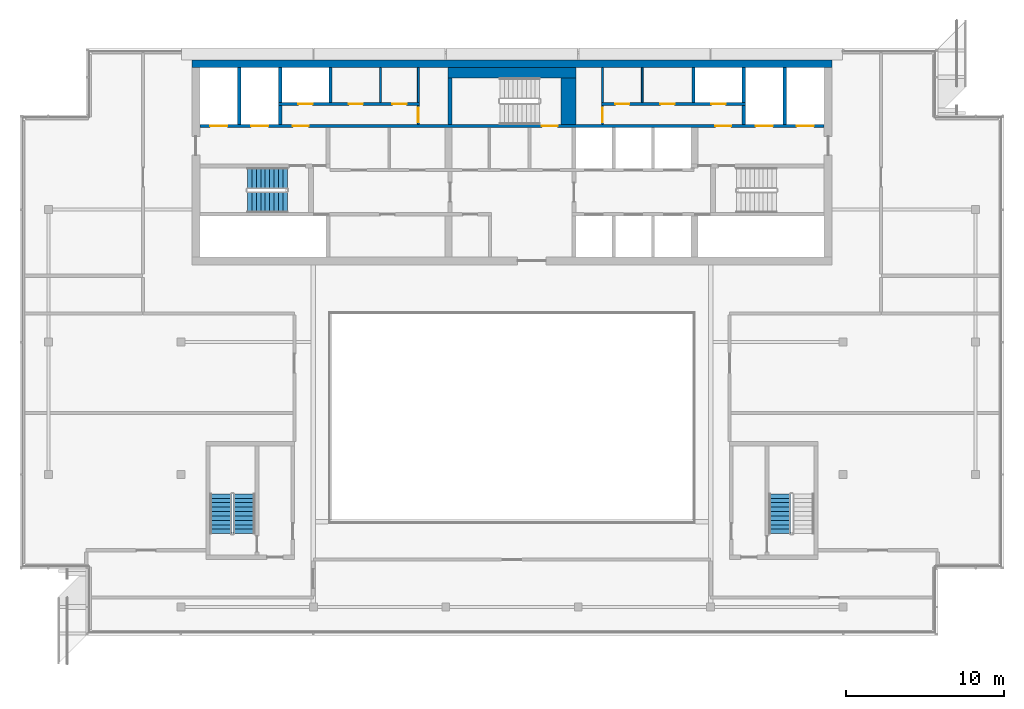
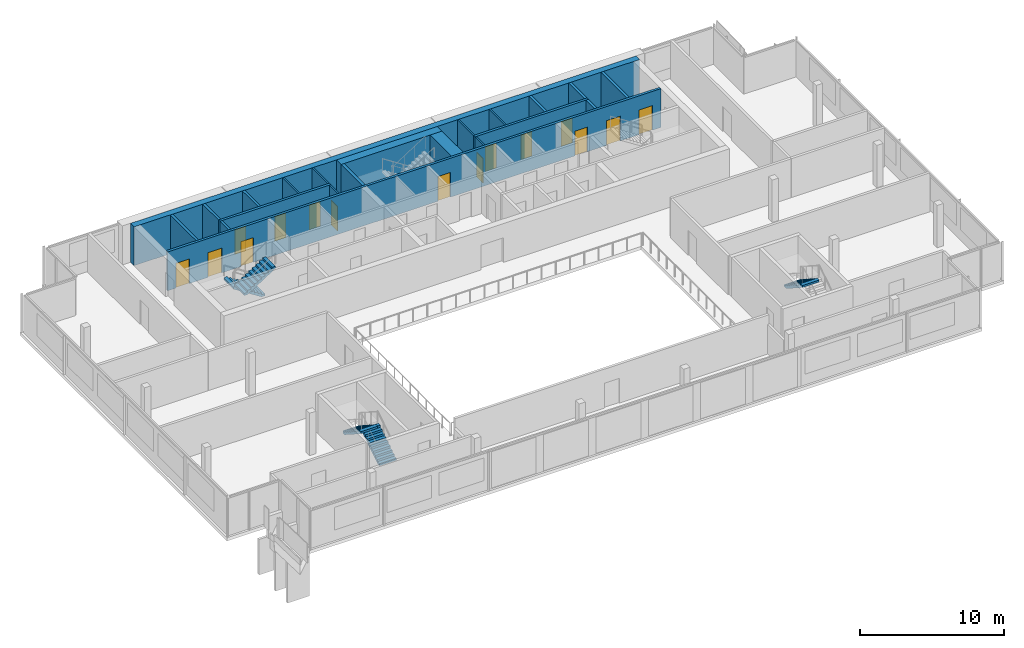
# One storey, part 15 of 19: 21 walls, 15 doors, 5 stair flights, 15 openings, 3 elements without a shape of their own.
"""IFC4 building model written with IfcOpenShell, lengths in metres."""

import ifcopenshell
import ifcopenshell.guid

model = None  # the IFC model being written
_history = None  # IfcOwnerHistory: only IFC2X3 demands one
_inside = {}  # id of a spatial element -> (the spatial element, [elements in it])
_under = {}  # id of a project, library or spatial element -> (it, [spatial elements below it])
_declared = {}  # id of a project -> (the project, [libraries it declares])
_typed = {}  # id of a type object -> (the type object, [elements of that type])
_made_of = {}  # id of a material, layer set ... -> (it, [elements and type objects made of it])


def new_model(schema):
    """Start an empty IFC model of exactly this schema.

    Asked for "IFC4X3", IfcOpenShell would pick the latest addendum, in which some entities
    have other attributes; the version numbers below select the first issue.
    IFC2X3 requires an IfcOwnerHistory on every rooted entity: one is made here for all.
    """
    global model, _history
    if schema == "IFC4X3":
        model = ifcopenshell.file(schema_version=(4, 3, 0, 0))
    else:
        model = ifcopenshell.file(schema=schema)
    _inside.clear()
    _under.clear()
    _declared.clear()
    _typed.clear()
    _made_of.clear()
    _history = None
    if model.schema == "IFC2X3":
        org = make("IfcOrganization", Name="unknown")
        user = make(
            "IfcPersonAndOrganization",
            ThePerson=make("IfcPerson", FamilyName="unknown"),
            TheOrganization=org,
        )
        app = make(
            "IfcApplication",
            ApplicationDeveloper=org,
            Version="unknown",
            ApplicationFullName="unknown",
            ApplicationIdentifier="unknown",
        )
        _history = make(
            "IfcOwnerHistory",
            OwningUser=user,
            OwningApplication=app,
            ChangeAction="ADDED",
            CreationDate=0,
        )
    return model


def make(cls, **values):
    """One entity of the class cls with the attributes given. An attribute that is None is left unset."""
    return model.create_entity(
        cls, **{name: value for name, value in values.items() if value is not None}
    )


def rooted(cls, **values):
    """An entity with a GlobalId (a new one), such as an element, a storey or a relation."""
    return make(cls, GlobalId=ifcopenshell.guid.new(), OwnerHistory=_history, **values)


def si_unit(unit_type, name, prefix=None):
    """IfcSIUnit, for example si_unit("LENGTHUNIT", "METRE", prefix="MILLI")."""
    return make("IfcSIUnit", UnitType=unit_type, Prefix=prefix, Name=name)


def assignment(units):
    """IfcUnitAssignment: the units of a project."""
    return None if units is None else make("IfcUnitAssignment", Units=units)


def point(xyz):
    """IfcCartesianPoint."""
    return None if xyz is None else make("IfcCartesianPoint", Coordinates=xyz)


def direction(xyz):
    """IfcDirection."""
    return None if xyz is None else make("IfcDirection", DirectionRatios=xyz)


def frame(location, z_axis=None, x_axis=None):
    """IfcAxis2Placement3D, a coordinate frame: its origin and axes. An axis left out is left unset."""
    return make(
        "IfcAxis2Placement3D",
        Location=point(location),
        Axis=direction(z_axis),
        RefDirection=direction(x_axis),
    )


def frame_2d(location, x_axis=None):
    """IfcAxis2Placement2D, a coordinate frame in the plane: its origin and x axis."""
    return make(
        "IfcAxis2Placement2D", Location=point(location), RefDirection=direction(x_axis)
    )


def origin():
    """The frame at (0, 0, 0) with its axes left unset."""
    return frame((0.0, 0.0, 0.0))


def place(relative_to, where):
    """IfcLocalPlacement: puts the frame where relative to a parent placement (None: the world)."""
    return make(
        "IfcLocalPlacement", PlacementRelTo=relative_to, RelativePlacement=where
    )


def context(
    kind, dimensions, precision=None, world=None, true_north=None, identifier=None
):
    """IfcGeometricRepresentationContext, for example the 3D "Model" context."""
    return make(
        "IfcGeometricRepresentationContext",
        ContextIdentifier=identifier,
        ContextType=kind,
        CoordinateSpaceDimension=dimensions,
        Precision=precision,
        WorldCoordinateSystem=world,
        TrueNorth=true_north,
    )


def subcontext(parent, identifier, kind, view, scale=None):
    """IfcGeometricRepresentationSubContext, for example "Body" below "Model"."""
    return make(
        "IfcGeometricRepresentationSubContext",
        ContextIdentifier=identifier,
        ContextType=kind,
        ParentContext=parent,
        TargetScale=scale,
        TargetView=view,
    )


def project(units=None, contexts=None):
    """IfcProject with its units and contexts."""
    return rooted(
        "IfcProject",
        Name="project",
        RepresentationContexts=contexts,
        UnitsInContext=assignment(units),
    )


def spatial(cls, under=None, at=None, **own):
    """A site, building, storey or space (cls), placed at a placement, below another one or the project."""
    s = rooted(cls, ObjectPlacement=at, **own)
    if under is not None:
        _under.setdefault(under.id(), (under, []))[1].append(s)
    return s


def polyline(points):
    """IfcPolyline through the points."""
    return make("IfcPolyline", Points=[point(p) for p in points])


def profile(cls, at=None, kind="AREA", **sizes):
    """A parametric profile (cls). Its sizes go by their IFC names, for example OverallWidth=200.0."""
    return make(cls, ProfileType=kind, Position=at, **sizes)


def rectangle(**sizes):
    """IfcRectangleProfileDef."""
    return profile("IfcRectangleProfileDef", **sizes)


def outline(outer, holes=None, kind="AREA"):
    """IfcArbitraryClosedProfileDef: a profile drawn as a closed curve; with holes, ...WithVoids."""
    if holes is None:
        return make("IfcArbitraryClosedProfileDef", ProfileType=kind, OuterCurve=outer)
    return make(
        "IfcArbitraryProfileDefWithVoids",
        ProfileType=kind,
        OuterCurve=outer,
        InnerCurves=holes,
    )


def extrude(swept, where, along, depth):
    """IfcExtrudedAreaSolid: the profile swept, set in the frame where, extruded along a direction by depth."""
    return make(
        "IfcExtrudedAreaSolid",
        SweptArea=swept,
        Position=where,
        ExtrudedDirection=direction(along),
        Depth=depth,
    )


def shape(context_of_items, identifier, shape_type, items):
    """IfcShapeRepresentation: the items that make up one representation, for example the "Body"."""
    return make(
        "IfcShapeRepresentation",
        ContextOfItems=context_of_items,
        RepresentationIdentifier=identifier,
        RepresentationType=shape_type,
        Items=items,
    )


def material(Name=None, Category=None):
    """IfcMaterial."""
    return make("IfcMaterial", Name=Name, Category=Category)


def layer(
    of_material, thickness, ventilated=None, Name=None, Category=None, Priority=None
):
    """IfcMaterialLayer: one layer of a wall or slab, of a material (None: an air gap)."""
    return make(
        "IfcMaterialLayer",
        Material=of_material,
        LayerThickness=thickness,
        IsVentilated=ventilated,
        Name=Name,
        Category=Category,
        Priority=Priority,
    )


def layer_set(layers, Name=None):
    """IfcMaterialLayerSet."""
    return make("IfcMaterialLayerSet", MaterialLayers=layers, LayerSetName=Name)


def made_of(thing, what):
    """Note that an element or type object is made of a material, layer set ...; save() writes the relation."""
    if what is not None:
        _made_of.setdefault(what.id(), (what, []))[1].append(thing)
    return thing


def type_object(cls, material=None, **own):
    """A type object (cls), such as IfcWallType, which elements share."""
    return made_of(rooted(cls, **own), material)


def element(
    cls,
    number,
    at=None,
    inside=None,
    cuts=None,
    type_object=None,
    material=None,
    context=None,
    identifier="Body",
    shape_type=None,
    held_by="IfcProductDefinitionShape",
    body=None,
    shapes=None,
    **own,
):
    """One element of the class cls, such as IfcWall. Its Tag is "e" and its number.

    at: its placement. inside: the storey or other place that contains it. cuts: it is an
    opening in that element (IfcRelVoidsElement). A single representation is given by context,
    identifier, shape_type and body (its items); several are given by shapes. held_by: the class
    of the entity that holds the representations. save() writes the other relations.
    """
    e = rooted(cls, Tag="e%d" % number, ObjectPlacement=at, **own)
    if body is not None:
        shapes = [shape(context, identifier, shape_type, body)]
    if shapes is not None:
        e.Representation = make(held_by, Representations=shapes)
    if inside is not None:
        _inside.setdefault(inside.id(), (inside, []))[1].append(e)
    if cuts is not None:
        rooted(
            "IfcRelVoidsElement", RelatingBuildingElement=cuts, RelatedOpeningElement=e
        )
    if type_object is not None:
        _typed.setdefault(type_object.id(), (type_object, []))[1].append(e)
    return made_of(e, material)


def fill(opening, filler):
    """IfcRelFillsElement: the door or window that sits in an opening."""
    return rooted(
        "IfcRelFillsElement",
        RelatingOpeningElement=opening,
        RelatedBuildingElement=filler,
    )


def aggregate(whole, parts):
    """IfcRelAggregates: a whole, such as a stair, and the parts it consists of."""
    return rooted("IfcRelAggregates", RelatingObject=whole, RelatedObjects=parts)


def save(model, path):
    """Write the relations noted so far, then the file.

    IfcRelAggregates (storeys below a building ...), IfcRelContainedInSpatialStructure (elements
    in a storey), IfcRelDefinesByType, IfcRelAssociatesMaterial and IfcRelDeclares: one each for
    every whole, place, type object, material and project.
    """
    for whole, parts in _under.values():
        aggregate(whole, parts)
    for where, things in _inside.values():
        rooted(
            "IfcRelContainedInSpatialStructure",
            RelatedElements=things,
            RelatingStructure=where,
        )
    for kind, things in _typed.values():
        rooted("IfcRelDefinesByType", RelatedObjects=things, RelatingType=kind)
    for what, things in _made_of.values():
        rooted("IfcRelAssociatesMaterial", RelatedObjects=things, RelatingMaterial=what)
    for by, libraries in _declared.values():
        rooted("IfcRelDeclares", RelatingContext=by, RelatedDefinitions=libraries)
    model.write(path)


model = new_model("IFC4")

# Units and contexts
model_context = context("Model", 3, precision=1e-05, world=origin(), true_north=direction((0.0, 1.0)))
body_context = subcontext(model_context, "Body", "Model", "MODEL_VIEW")
ifc_project = project(units=[si_unit("LENGTHUNIT", "METRE"), si_unit("AREAUNIT", "SQUARE_METRE"), si_unit("VOLUMEUNIT", "CUBIC_METRE"), si_unit("PLANEANGLEUNIT", "RADIAN"), si_unit("MASSUNIT", "GRAM", prefix="KILO")], contexts=[model_context])

# Site, building, storey
site_placement = place(None, origin())
site = spatial("IfcSite", under=ifc_project, at=site_placement, CompositionType="ELEMENT")
building_placement = place(site_placement, origin())
building = spatial("IfcBuilding", under=site, at=building_placement, Name="Saffron Gate Tower", CompositionType="ELEMENT")
storey_placement = place(building_placement, frame((0.0, 0.0, 306.75)))
storey = spatial("IfcBuildingStorey", under=building, at=storey_placement, Name="L75", CompositionType="ELEMENT", Elevation=306.75)

# Walls
ifc_material_1 = material(Name="Concrete C50", Category="concrete")
ifc_layer_1 = layer(ifc_material_1, 0.5)
ifc_layer_set_1 = layer_set([ifc_layer_1], Name="CW22 RC core wall 500 C50")
wall_type_1 = type_object("IfcWallType", Name="CW22 RC core wall 500 C50", PredefinedType="SOLIDWALL", material=ifc_layer_set_1)
wall_1_placement = place(storey_placement, frame((67.300048828125, 74.64990234375, 0.0), z_axis=(0.0, 0.0, 1.0), x_axis=(1.0, 0.0, 0.0)))
element("IfcWall", 1, at=wall_1_placement, inside=storey, type_object=wall_type_1, Name="Wall CW22-L75-2", PredefinedType="SOLIDWALL", context=body_context, shape_type="SweptSolid", body=[
    extrude(rectangle(XDim=40.599853515625, YDim=0.5, at=frame_2d((20.2998046875, 0.0))), origin(), (0.0, 0.0, 1.0), 3.300048828125),
])
ifc_layer_2 = layer(ifc_material_1, 0.25)
ifc_layer_set_2 = layer_set([ifc_layer_2], Name="CW23 RC core wall 250 C50")
wall_type_2 = type_object("IfcWallType", Name="CW23 RC core wall 250 C50", PredefinedType="SOLIDWALL", material=ifc_layer_set_2)
wall_2_placement = place(storey_placement, frame((83.675048828125, 70.800048828125, 0.0), z_axis=(0.0, 0.0, 1.0), x_axis=(0.0, 1.0, 0.0)))
element("IfcWall", 2, at=wall_2_placement, inside=storey, type_object=wall_type_2, Name="Wall CW23-L75-35", PredefinedType="SOLIDWALL", context=body_context, shape_type="SweptSolid", body=[
    extrude(rectangle(XDim=2.949951171875, YDim=0.25, at=frame_2d((1.47509765625, 0.0))), origin(), (0.0, 0.0, 1.0), 3.300048828125),
])

# Wall, openings, doors
ifc_layer_3 = layer(ifc_material_1, 0.199951171875)
ifc_layer_set_3 = layer_set([ifc_layer_3], Name="CW25 RC core wall 200 C50")
wall_type_3 = type_object("IfcWallType", Name="CW25 RC core wall 200 C50", PredefinedType="SOLIDWALL", material=ifc_layer_set_3)
wall_3_placement = place(storey_placement, frame((67.800048828125, 70.699951171875, 0.0), z_axis=(0.0, 0.0, 1.0), x_axis=(1.0, 0.0, 0.0)))
wall_3 = element("IfcWall", 3, at=wall_3_placement, inside=storey, type_object=wall_type_3, Name="Wall CW25-L75-31", PredefinedType="SOLIDWALL", context=body_context, shape_type="SweptSolid", body=[
    extrude(rectangle(XDim=39.599853515625, YDim=0.199951171875, at=frame_2d((19.7998046875, 0.0))), origin(), (0.0, 0.0, 1.0), 3.300048828125),
])
opening_1_placement = place(wall_3_placement, frame((0.64990234375, 0.0, 0.0)))
opening_1 = element("IfcOpeningElement", 4, at=opening_1_placement, cuts=wall_3, Name="Opening LD-FF1", PredefinedType="OPENING", context=body_context, shape_type="SweptSolid", body=[
    extrude(rectangle(XDim=1.10009765625, YDim=2.10009765625, at=frame_2d((0.550048828125, 1.050048828125))), frame((0.0, 0.10986328125, 0.0), z_axis=(0.0, -1.0, 0.0), x_axis=(1.0, 0.0, 0.0)), (0.0, 0.0, 1.0), 0.219970703125),
])
opening_2_placement = place(wall_3_placement, frame((3.25, 0.0, 0.0)))
opening_2 = element("IfcOpeningElement", 5, at=opening_2_placement, cuts=wall_3, Name="Opening LD-SV1", PredefinedType="OPENING", context=body_context, shape_type="SweptSolid", body=[
    extrude(rectangle(XDim=1.10009765625, YDim=2.10009765625, at=frame_2d((0.550048828125, 1.050048828125))), frame((0.0, 0.10986328125, 0.0), z_axis=(0.0, -1.0, 0.0), x_axis=(1.0, 0.0, 0.0)), (0.0, 0.0, 1.0), 0.219970703125),
])
opening_3_placement = place(wall_3_placement, frame((5.89990234375, 0.0, 0.0)))
opening_3 = element("IfcOpeningElement", 6, at=opening_3_placement, cuts=wall_3, Name="Opening CR-03", PredefinedType="OPENING", context=body_context, shape_type="SweptSolid", body=[
    extrude(rectangle(XDim=1.0, YDim=2.10009765625, at=frame_2d((0.5, 1.050048828125))), frame((0.0, 0.10986328125, 0.0), z_axis=(0.0, -1.0, 0.0), x_axis=(1.0, 0.0, 0.0)), (0.0, 0.0, 1.0), 0.219970703125),
])
opening_4_placement = place(wall_3_placement, frame((21.699951171875, 0.0, 0.0)))
opening_4 = element("IfcOpeningElement", 7, at=opening_4_placement, cuts=wall_3, Name="Opening CR-17", PredefinedType="OPENING", context=body_context, shape_type="SweptSolid", body=[
    extrude(rectangle(XDim=1.0, YDim=2.10009765625, at=frame_2d((0.5, 1.050048828125))), frame((0.0, 0.10986328125, 0.0), z_axis=(0.0, -1.0, 0.0), x_axis=(1.0, 0.0, 0.0)), (0.0, 0.0, 1.0), 0.219970703125),
])
opening_5_placement = place(wall_3_placement, frame((32.699951171875, 0.0, 0.0)))
opening_5 = element("IfcOpeningElement", 8, at=opening_5_placement, cuts=wall_3, Name="Opening CR-04", PredefinedType="OPENING", context=body_context, shape_type="SweptSolid", body=[
    extrude(rectangle(XDim=1.0, YDim=2.10009765625, at=frame_2d((0.5, 1.050048828125))), frame((0.0, 0.10986328125, 0.0), z_axis=(0.0, -1.0, 0.0), x_axis=(1.0, 0.0, 0.0)), (0.0, 0.0, 1.0), 0.219970703125),
])
opening_6_placement = place(wall_3_placement, frame((35.25, 0.0, 0.0)))
opening_6 = element("IfcOpeningElement", 9, at=opening_6_placement, cuts=wall_3, Name="Opening LD-SV2", PredefinedType="OPENING", context=body_context, shape_type="SweptSolid", body=[
    extrude(rectangle(XDim=1.10009765625, YDim=2.10009765625, at=frame_2d((0.550048828125, 1.050048828125))), frame((0.0, 0.10986328125, 0.0), z_axis=(0.0, -1.0, 0.0), x_axis=(1.0, 0.0, 0.0)), (0.0, 0.0, 1.0), 0.219970703125),
])
opening_7_placement = place(wall_3_placement, frame((37.85009765625, 0.0, 0.0)))
opening_7 = element("IfcOpeningElement", 10, at=opening_7_placement, cuts=wall_3, Name="Opening LD-FF2", PredefinedType="OPENING", context=body_context, shape_type="SweptSolid", body=[
    extrude(rectangle(XDim=1.10009765625, YDim=2.10009765625, at=frame_2d((0.550048828125, 1.050048828125))), frame((0.0, 0.10986328125, 0.0), z_axis=(0.0, -1.0, 0.0), x_axis=(1.0, 0.0, 0.0)), (0.0, 0.0, 1.0), 0.219970703125),
])
ifc_material_2 = material(Name="Steel fire door set", Category="steel")
door_type_1 = type_object("IfcDoorType", Name="CD4 Lobby door 1000x2100 EI 120", OperationType="NOTDEFINED", PredefinedType="DOOR", material=ifc_material_2)
door_1_placement = place(opening_3_placement, origin())
door_1 = element("IfcDoor", 11, at=door_1_placement, inside=storey, type_object=door_type_1, Name="DOOR CR-03", OperationType="SINGLE_SWING_LEFT", OverallHeight=2.10009765625, OverallWidth=1.0, PredefinedType="DOOR", context=body_context, shape_type="SweptSolid", body=[
    extrude(rectangle(XDim=1.0, YDim=2.10009765625, at=frame_2d((0.5, 1.050048828125))), frame((0.0, 0.02490234375, 0.0), z_axis=(0.0, -1.0, 0.0), x_axis=(1.0, 0.0, 0.0)), (0.0, 0.0, 1.0), 0.050048828125),
])
fill(opening_3, door_1)
door_2_placement = place(opening_5_placement, origin())
door_2 = element("IfcDoor", 12, at=door_2_placement, inside=storey, type_object=door_type_1, Name="DOOR CR-04", OperationType="SINGLE_SWING_RIGHT", OverallHeight=2.10009765625, OverallWidth=1.0, PredefinedType="DOOR", context=body_context, shape_type="SweptSolid", body=[
    extrude(rectangle(XDim=1.0, YDim=2.10009765625, at=frame_2d((0.5, 1.050048828125))), frame((0.0, 0.02490234375, 0.0), z_axis=(0.0, -1.0, 0.0), x_axis=(1.0, 0.0, 0.0)), (0.0, 0.0, 1.0), 0.050048828125),
])
fill(opening_5, door_2)
door_type_2 = type_object("IfcDoorType", Name="CD5 Stair door 1000x2100 EI 120", OperationType="NOTDEFINED", PredefinedType="DOOR", material=ifc_material_2)
door_3_placement = place(opening_4_placement, origin())
door_3 = element("IfcDoor", 13, at=door_3_placement, inside=storey, type_object=door_type_2, Name="DOOR CR-17", OperationType="SINGLE_SWING_RIGHT", OverallHeight=2.10009765625, OverallWidth=1.0, PredefinedType="DOOR", context=body_context, shape_type="SweptSolid", body=[
    extrude(rectangle(XDim=1.0, YDim=2.10009765625, at=frame_2d((0.5, 1.050048828125))), frame((0.0, 0.02490234375, 0.0), z_axis=(0.0, -1.0, 0.0), x_axis=(1.0, 0.0, 0.0)), (0.0, 0.0, 1.0), 0.050048828125),
])
fill(opening_4, door_3)
ifc_material_3 = material(Name="Stainless steel landing door", Category="steel")
door_type_3 = type_object("IfcDoorType", Name="LD Lift landing door 1100x2100 EI 120", OperationType="SLIDING_TO_LEFT", PredefinedType="DOOR", material=ifc_material_3)
door_4_placement = place(opening_1_placement, origin())
door_4 = element("IfcDoor", 14, at=door_4_placement, inside=storey, type_object=door_type_3, Name="LANDING DOOR LD-FF1", OperationType="SLIDING_TO_RIGHT", OverallHeight=2.10009765625, OverallWidth=1.10009765625, PredefinedType="DOOR", context=body_context, shape_type="SweptSolid", body=[
    extrude(rectangle(XDim=1.10009765625, YDim=2.10009765625, at=frame_2d((0.550048828125, 1.050048828125))), frame((0.0, 0.02490234375, 0.0), z_axis=(0.0, -1.0, 0.0), x_axis=(1.0, 0.0, 0.0)), (0.0, 0.0, 1.0), 0.050048828125),
])
fill(opening_1, door_4)
door_5_placement = place(opening_2_placement, origin())
door_5 = element("IfcDoor", 15, at=door_5_placement, inside=storey, type_object=door_type_3, Name="LANDING DOOR LD-SV1", OperationType="SLIDING_TO_RIGHT", OverallHeight=2.10009765625, OverallWidth=1.10009765625, PredefinedType="DOOR", context=body_context, shape_type="SweptSolid", body=[
    extrude(rectangle(XDim=1.10009765625, YDim=2.10009765625, at=frame_2d((0.550048828125, 1.050048828125))), frame((0.0, 0.02490234375, 0.0), z_axis=(0.0, -1.0, 0.0), x_axis=(1.0, 0.0, 0.0)), (0.0, 0.0, 1.0), 0.050048828125),
])
fill(opening_2, door_5)
door_6_placement = place(opening_6_placement, origin())
door_6 = element("IfcDoor", 16, at=door_6_placement, inside=storey, type_object=door_type_3, Name="LANDING DOOR LD-SV2", OperationType="SLIDING_TO_RIGHT", OverallHeight=2.10009765625, OverallWidth=1.10009765625, PredefinedType="DOOR", context=body_context, shape_type="SweptSolid", body=[
    extrude(rectangle(XDim=1.10009765625, YDim=2.10009765625, at=frame_2d((0.550048828125, 1.050048828125))), frame((0.0, 0.02490234375, 0.0), z_axis=(0.0, -1.0, 0.0), x_axis=(1.0, 0.0, 0.0)), (0.0, 0.0, 1.0), 0.050048828125),
])
fill(opening_6, door_6)
door_7_placement = place(opening_7_placement, origin())
door_7 = element("IfcDoor", 17, at=door_7_placement, inside=storey, type_object=door_type_3, Name="LANDING DOOR LD-FF2", OperationType="SLIDING_TO_RIGHT", OverallHeight=2.10009765625, OverallWidth=1.10009765625, PredefinedType="DOOR", context=body_context, shape_type="SweptSolid", body=[
    extrude(rectangle(XDim=1.10009765625, YDim=2.10009765625, at=frame_2d((0.550048828125, 1.050048828125))), frame((0.0, 0.02490234375, 0.0), z_axis=(0.0, -1.0, 0.0), x_axis=(1.0, 0.0, 0.0)), (0.0, 0.0, 1.0), 0.050048828125),
])
fill(opening_7, door_7)

# Walls
wall_4_placement = place(storey_placement, frame((70.300048828125, 70.800048828125, 0.0), z_axis=(0.0, 0.0, 1.0), x_axis=(0.0, 1.0, 0.0)))
element("IfcWall", 18, at=wall_4_placement, inside=storey, type_object=wall_type_3, Name="Wall CW25-L75-32", PredefinedType="SOLIDWALL", context=body_context, shape_type="SweptSolid", body=[
    extrude(rectangle(XDim=3.599853515625, YDim=0.199951171875, at=frame_2d((1.7998046875, 0.0))), origin(), (0.0, 0.0, 1.0), 3.300048828125),
])
for number, where, z_axis, x_axis, name in (
    (19, (72.89990234375, 70.800048828125, 0.0), (0.0, 0.0, 1.0), (0.0, 1.0, 0.0), "Wall CW25-L75-33"),
    (20, (102.300048828125, 70.800048828125, 0.0), (0.0, 0.0, 1.0), (0.0, 1.0, 0.0), "Wall CW25-L75-38"),
):
    element("IfcWall", number, at=place(storey_placement, frame(where, z_axis=z_axis, x_axis=x_axis)), inside=storey, type_object=wall_type_3, Name=name, PredefinedType="SOLIDWALL", context=body_context, shape_type="SweptSolid", body=[
        extrude(rectangle(XDim=1.199951171875, YDim=0.199951171875, at=frame_2d((0.60009765625, 0.0))), origin(), (0.0, 0.0, 1.0), 3.300048828125),
    ])
wall_5_placement = place(storey_placement, frame((104.89990234375, 70.800048828125, 0.0), z_axis=(0.0, 0.0, 1.0), x_axis=(0.0, 1.0, 0.0)))
element("IfcWall", 21, at=wall_5_placement, inside=storey, type_object=wall_type_3, Name="Wall CW25-L75-39", PredefinedType="SOLIDWALL", context=body_context, shape_type="SweptSolid", body=[
    extrude(rectangle(XDim=3.599853515625, YDim=0.199951171875, at=frame_2d((1.7998046875, 0.0))), origin(), (0.0, 0.0, 1.0), 3.300048828125),
])

# Wall, openings, doors
wall_6_placement = place(storey_placement, frame((72.800048828125, 72.10009765625, 0.0), z_axis=(0.0, 0.0, 1.0), x_axis=(1.0, 0.0, 0.0)))
wall_6 = element("IfcWall", 22, at=wall_6_placement, inside=storey, type_object=wall_type_3, Name="Wall CW25-L75-40", PredefinedType="SOLIDWALL", context=body_context, shape_type="SweptSolid", body=[
    extrude(rectangle(XDim=8.919921875, YDim=0.199951171875, at=frame_2d((4.4599609375, 0.0))), origin(), (0.0, 0.0, 1.0), 3.300048828125),
])
opening_8_placement = place(wall_6_placement, frame((1.25, 0.0, 0.0)))
opening_8 = element("IfcOpeningElement", 23, at=opening_8_placement, cuts=wall_6, Name="Opening CR-71", PredefinedType="OPENING", context=body_context, shape_type="SweptSolid", body=[
    extrude(rectangle(XDim=0.89990234375, YDim=2.10009765625, at=frame_2d((0.449951171875, 1.050048828125))), frame((0.0, 0.10986328125, 0.0), z_axis=(0.0, -1.0, 0.0), x_axis=(1.0, 0.0, 0.0)), (0.0, 0.0, 1.0), 0.219970703125),
])
opening_9_placement = place(wall_6_placement, frame((4.449951171875, 0.0, 0.0)))
opening_9 = element("IfcOpeningElement", 24, at=opening_9_placement, cuts=wall_6, Name="Opening CR-55", PredefinedType="OPENING", context=body_context, shape_type="SweptSolid", body=[
    extrude(rectangle(XDim=0.89990234375, YDim=2.10009765625, at=frame_2d((0.449951171875, 1.050048828125))), frame((0.0, 0.10986328125, 0.0), z_axis=(0.0, -1.0, 0.0), x_axis=(1.0, 0.0, 0.0)), (0.0, 0.0, 1.0), 0.219970703125),
])
opening_10_placement = place(wall_6_placement, frame((7.2099609375, 0.0, 0.0)))
opening_10 = element("IfcOpeningElement", 25, at=opening_10_placement, cuts=wall_6, Name="Opening CR-58", PredefinedType="OPENING", context=body_context, shape_type="SweptSolid", body=[
    extrude(rectangle(XDim=0.89990234375, YDim=2.10009765625, at=frame_2d((0.449951171875, 1.050048828125))), frame((0.0, 0.10986328125, 0.0), z_axis=(0.0, -1.0, 0.0), x_axis=(1.0, 0.0, 0.0)), (0.0, 0.0, 1.0), 0.219970703125),
])
door_type_4 = type_object("IfcDoorType", Name="CD2 Riser door 900x2100 EI 60", OperationType="NOTDEFINED", PredefinedType="DOOR", material=ifc_material_2)
door_8_placement = place(opening_8_placement, origin())
door_8 = element("IfcDoor", 26, at=door_8_placement, inside=storey, type_object=door_type_4, Name="DOOR CR-71", OperationType="SINGLE_SWING_LEFT", OverallHeight=2.10009765625, OverallWidth=0.89990234375, PredefinedType="DOOR", context=body_context, shape_type="SweptSolid", body=[
    extrude(rectangle(XDim=0.89990234375, YDim=2.10009765625, at=frame_2d((0.449951171875, 1.050048828125))), frame((0.0, 0.02490234375, 0.0), z_axis=(0.0, -1.0, 0.0), x_axis=(1.0, 0.0, 0.0)), (0.0, 0.0, 1.0), 0.050048828125),
])
fill(opening_8, door_8)
door_type_5 = type_object("IfcDoorType", Name="CD9 Room door 900x2100 EI 60", OperationType="NOTDEFINED", PredefinedType="DOOR", material=ifc_material_2)
door_9_placement = place(opening_9_placement, origin())
door_9 = element("IfcDoor", 27, at=door_9_placement, inside=storey, type_object=door_type_5, Name="DOOR CR-55", OperationType="SINGLE_SWING_LEFT", OverallHeight=2.10009765625, OverallWidth=0.89990234375, PredefinedType="DOOR", context=body_context, shape_type="SweptSolid", body=[
    extrude(rectangle(XDim=0.89990234375, YDim=2.10009765625, at=frame_2d((0.449951171875, 1.050048828125))), frame((0.0, 0.02490234375, 0.0), z_axis=(0.0, -1.0, 0.0), x_axis=(1.0, 0.0, 0.0)), (0.0, 0.0, 1.0), 0.050048828125),
])
fill(opening_9, door_9)
door_10_placement = place(opening_10_placement, origin())
door_10 = element("IfcDoor", 28, at=door_10_placement, inside=storey, type_object=door_type_5, Name="DOOR CR-58", OperationType="SINGLE_SWING_LEFT", OverallHeight=2.10009765625, OverallWidth=0.89990234375, PredefinedType="DOOR", context=body_context, shape_type="SweptSolid", body=[
    extrude(rectangle(XDim=0.89990234375, YDim=2.10009765625, at=frame_2d((0.449951171875, 1.050048828125))), frame((0.0, 0.02490234375, 0.0), z_axis=(0.0, -1.0, 0.0), x_axis=(1.0, 0.0, 0.0)), (0.0, 0.0, 1.0), 0.050048828125),
])
fill(opening_10, door_10)

wall_7_placement = place(storey_placement, frame((93.280029296875, 72.10009765625, 0.0), z_axis=(0.0, 0.0, 1.0), x_axis=(1.0, 0.0, 0.0)))
wall_7 = element("IfcWall", 29, at=wall_7_placement, inside=storey, type_object=wall_type_3, Name="Wall CW25-L75-41", PredefinedType="SOLIDWALL", context=body_context, shape_type="SweptSolid", body=[
    extrude(rectangle(XDim=9.119873046875, YDim=0.199951171875, at=frame_2d((4.56005859375, 0.0))), origin(), (0.0, 0.0, 1.0), 3.300048828125),
])
opening_11_placement = place(wall_7_placement, frame((0.8701171875, 0.0, 0.0)))
opening_11 = element("IfcOpeningElement", 30, at=opening_11_placement, cuts=wall_7, Name="Opening CR-50", PredefinedType="OPENING", context=body_context, shape_type="SweptSolid", body=[
    extrude(rectangle(XDim=0.89990234375, YDim=2.10009765625, at=frame_2d((0.449951171875, 1.050048828125))), frame((0.0, 0.10986328125, 0.0), z_axis=(0.0, -1.0, 0.0), x_axis=(1.0, 0.0, 0.0)), (0.0, 0.0, 1.0), 0.219970703125),
])
opening_12_placement = place(wall_7_placement, frame((3.72998046875, 0.0, 0.0)))
opening_12 = element("IfcOpeningElement", 31, at=opening_12_placement, cuts=wall_7, Name="Opening CR-53", PredefinedType="OPENING", context=body_context, shape_type="SweptSolid", body=[
    extrude(rectangle(XDim=0.89990234375, YDim=2.10009765625, at=frame_2d((0.449951171875, 1.050048828125))), frame((0.0, 0.10986328125, 0.0), z_axis=(0.0, -1.0, 0.0), x_axis=(1.0, 0.0, 0.0)), (0.0, 0.0, 1.0), 0.219970703125),
])
opening_13_placement = place(wall_7_placement, frame((6.969970703125, 0.0, 0.0)))
opening_13 = element("IfcOpeningElement", 32, at=opening_13_placement, cuts=wall_7, Name="Opening CR-70", PredefinedType="OPENING", context=body_context, shape_type="SweptSolid", body=[
    extrude(rectangle(XDim=0.89990234375, YDim=2.10009765625, at=frame_2d((0.449951171875, 1.050048828125))), frame((0.0, 0.10986328125, 0.0), z_axis=(0.0, -1.0, 0.0), x_axis=(1.0, 0.0, 0.0)), (0.0, 0.0, 1.0), 0.219970703125),
])
door_11_placement = place(opening_13_placement, origin())
door_11 = element("IfcDoor", 33, at=door_11_placement, inside=storey, type_object=door_type_4, Name="DOOR CR-70", OperationType="SINGLE_SWING_LEFT", OverallHeight=2.10009765625, OverallWidth=0.89990234375, PredefinedType="DOOR", context=body_context, shape_type="SweptSolid", body=[
    extrude(rectangle(XDim=0.89990234375, YDim=2.10009765625, at=frame_2d((0.449951171875, 1.050048828125))), frame((0.0, 0.02490234375, 0.0), z_axis=(0.0, -1.0, 0.0), x_axis=(1.0, 0.0, 0.0)), (0.0, 0.0, 1.0), 0.050048828125),
])
fill(opening_13, door_11)
door_12_placement = place(opening_11_placement, origin())
door_12 = element("IfcDoor", 34, at=door_12_placement, inside=storey, type_object=door_type_5, Name="DOOR CR-50", OperationType="SINGLE_SWING_LEFT", OverallHeight=2.10009765625, OverallWidth=0.89990234375, PredefinedType="DOOR", context=body_context, shape_type="SweptSolid", body=[
    extrude(rectangle(XDim=0.89990234375, YDim=2.10009765625, at=frame_2d((0.449951171875, 1.050048828125))), frame((0.0, 0.02490234375, 0.0), z_axis=(0.0, -1.0, 0.0), x_axis=(1.0, 0.0, 0.0)), (0.0, 0.0, 1.0), 0.050048828125),
])
fill(opening_11, door_12)
door_13_placement = place(opening_12_placement, origin())
door_13 = element("IfcDoor", 35, at=door_13_placement, inside=storey, type_object=door_type_5, Name="DOOR CR-53", OperationType="SINGLE_SWING_LEFT", OverallHeight=2.10009765625, OverallWidth=0.89990234375, PredefinedType="DOOR", context=body_context, shape_type="SweptSolid", body=[
    extrude(rectangle(XDim=0.89990234375, YDim=2.10009765625, at=frame_2d((0.449951171875, 1.050048828125))), frame((0.0, 0.02490234375, 0.0), z_axis=(0.0, -1.0, 0.0), x_axis=(1.0, 0.0, 0.0)), (0.0, 0.0, 1.0), 0.050048828125),
])
fill(opening_12, door_13)

# Walls
for number, where, z_axis, x_axis, name in (
    (36, (72.89990234375, 72.199951171875, 0.0), (0.0, 0.0, 1.0), (0.0, 1.0, 0.0), "Wall CW25-L75-42"),
    (37, (76.10009765625, 72.199951171875, 0.0), (0.0, 0.0, 1.0), (0.0, 1.0, 0.0), "Wall CW25-L75-43"),
    (38, (99.10009765625, 72.199951171875, 0.0), (0.0, 0.0, 1.0), (0.0, 1.0, 0.0), "Wall CW25-L75-48"),
    (39, (102.300048828125, 72.199951171875, 0.0), (0.0, 0.0, 1.0), (0.0, 1.0, 0.0), "Wall CW25-L75-49"),
):
    element("IfcWall", number, at=place(storey_placement, frame(where, z_axis=z_axis, x_axis=x_axis)), inside=storey, type_object=wall_type_3, Name=name, PredefinedType="SOLIDWALL", context=body_context, shape_type="SweptSolid", body=[
        extrude(rectangle(XDim=2.199951171875, YDim=0.199951171875, at=frame_2d((1.10009765625, 0.0))), origin(), (0.0, 0.0, 1.0), 3.300048828125),
    ])
ifc_layer_4 = layer(ifc_material_1, 0.949951171875)
ifc_layer_set_4 = layer_set([ifc_layer_4], Name="CW28 RC core wall 950 C50")
wall_type_4 = type_object("IfcWallType", Name="CW28 RC core wall 950 C50", PredefinedType="SOLIDWALL", material=ifc_layer_set_4)
wall_8_placement = place(storey_placement, frame((91.175048828125, 70.800048828125, 0.0), z_axis=(0.0, 0.0, 1.0), x_axis=(0.0, 1.0, 0.0)))
element("IfcWall", 40, at=wall_8_placement, inside=storey, type_object=wall_type_4, Name="Wall CW28-L75-36", PredefinedType="SOLIDWALL", context=body_context, shape_type="SweptSolid", body=[
    extrude(rectangle(XDim=2.949951171875, YDim=0.949951171875, at=frame_2d((1.47509765625, 0.0))), origin(), (0.0, 0.0, 1.0), 3.300048828125),
])
ifc_layer_5 = layer(ifc_material_1, 0.64990234375)
ifc_layer_set_5 = layer_set([ifc_layer_5], Name="CW29 RC core wall 650 C50")
wall_type_5 = type_object("IfcWallType", Name="CW29 RC core wall 650 C50", PredefinedType="SOLIDWALL", material=ifc_layer_set_5)
wall_9_placement = place(storey_placement, frame((83.550048828125, 74.074951171875, 0.0), z_axis=(0.0, 0.0, 1.0), x_axis=(1.0, 0.0, 0.0)))
element("IfcWall", 41, at=wall_9_placement, inside=storey, type_object=wall_type_5, Name="Wall CW29-L75-50", PredefinedType="SOLIDWALL", context=body_context, shape_type="SweptSolid", body=[
    extrude(rectangle(XDim=8.099853515625, YDim=0.64990234375, at=frame_2d((4.0498046875, 0.0))), origin(), (0.0, 0.0, 1.0), 3.300048828125),
])

# Wall, opening, door
ifc_material_4 = material(Name="Gypsum board partition on steel studs", Category="steel")
ifc_layer_6 = layer(ifc_material_4, 0.1201171875)
ifc_layer_set_6 = layer_set([ifc_layer_6], Name="CW8 Core partition 120")
wall_type_6 = type_object("IfcWallType", Name="CW8 Core partition 120", PredefinedType="PARTITIONING", material=ifc_layer_set_6)
wall_10_placement = place(storey_placement, frame((81.659912109375, 70.800048828125, 0.0), z_axis=(0.0, 0.0, 1.0), x_axis=(0.0, 1.0, 0.0)))
wall_10 = element("IfcWall", 42, at=wall_10_placement, inside=storey, type_object=wall_type_6, Name="Wall CW8-L75-34", PredefinedType="PARTITIONING", context=body_context, shape_type="SweptSolid", body=[
    extrude(rectangle(XDim=1.199951171875, YDim=0.1201171875, at=frame_2d((0.60009765625, 0.0))), origin(), (0.0, 0.0, 1.0), 3.300048828125),
])
opening_14_placement = place(wall_10_placement, frame((0.14990234375, 0.0, 0.0)))
opening_14 = element("IfcOpeningElement", 43, at=opening_14_placement, cuts=wall_10, Name="Opening CR-60", PredefinedType="OPENING", context=body_context, shape_type="SweptSolid", body=[
    extrude(rectangle(XDim=0.89990234375, YDim=2.10009765625, at=frame_2d((0.449951171875, 1.050048828125))), frame((0.0, 0.070068359375, 0.0), z_axis=(0.0, -1.0, 0.0), x_axis=(1.0, 0.0, 0.0)), (0.0, 0.0, 1.0), 0.14013671875),
])
door_14_placement = place(opening_14_placement, origin())
door_14 = element("IfcDoor", 44, at=door_14_placement, inside=storey, type_object=door_type_5, Name="DOOR CR-60", OperationType="SINGLE_SWING_RIGHT", OverallHeight=2.10009765625, OverallWidth=0.89990234375, PredefinedType="DOOR", context=body_context, shape_type="SweptSolid", body=[
    extrude(rectangle(XDim=0.89990234375, YDim=2.10009765625, at=frame_2d((0.449951171875, 1.050048828125))), frame((0.0, 0.02490234375, 0.0), z_axis=(0.0, -1.0, 0.0), x_axis=(1.0, 0.0, 0.0)), (0.0, 0.0, 1.0), 0.050048828125),
])
fill(opening_14, door_14)

wall_11_placement = place(storey_placement, frame((93.340087890625, 70.800048828125, 0.0), z_axis=(0.0, 0.0, 1.0), x_axis=(0.0, 1.0, 0.0)))
wall_11 = element("IfcWall", 45, at=wall_11_placement, inside=storey, type_object=wall_type_6, Name="Wall CW8-L75-37", PredefinedType="PARTITIONING", context=body_context, shape_type="SweptSolid", body=[
    extrude(rectangle(XDim=1.199951171875, YDim=0.1201171875, at=frame_2d((0.60009765625, 0.0))), origin(), (0.0, 0.0, 1.0), 3.300048828125),
])
opening_15_placement = place(wall_11_placement, frame((0.14990234375, 0.0, 0.0)))
opening_15 = element("IfcOpeningElement", 46, at=opening_15_placement, cuts=wall_11, Name="Opening CR-54", PredefinedType="OPENING", context=body_context, shape_type="SweptSolid", body=[
    extrude(rectangle(XDim=0.89990234375, YDim=2.10009765625, at=frame_2d((0.449951171875, 1.050048828125))), frame((0.0, 0.070068359375, 0.0), z_axis=(0.0, -1.0, 0.0), x_axis=(1.0, 0.0, 0.0)), (0.0, 0.0, 1.0), 0.14013671875),
])
door_15_placement = place(opening_15_placement, origin())
door_15 = element("IfcDoor", 47, at=door_15_placement, inside=storey, type_object=door_type_5, Name="DOOR CR-54", OperationType="SINGLE_SWING_LEFT", OverallHeight=2.10009765625, OverallWidth=0.89990234375, PredefinedType="DOOR", context=body_context, shape_type="SweptSolid", body=[
    extrude(rectangle(XDim=0.89990234375, YDim=2.10009765625, at=frame_2d((0.449951171875, 1.050048828125))), frame((0.0, 0.02490234375, 0.0), z_axis=(0.0, -1.0, 0.0), x_axis=(1.0, 0.0, 0.0)), (0.0, 0.0, 1.0), 0.050048828125),
])
fill(opening_15, door_15)

# Walls
for number, where, z_axis, x_axis, name in (
    (48, (79.260009765625, 72.199951171875, 0.0), (0.0, 0.0, 1.0), (0.0, 1.0, 0.0), "Wall CW8-L75-44"),
    (49, (81.659912109375, 72.199951171875, 0.0), (0.0, 0.0, 1.0), (0.0, 1.0, 0.0), "Wall CW8-L75-45"),
    (50, (93.340087890625, 72.199951171875, 0.0), (0.0, 0.0, 1.0), (0.0, 1.0, 0.0), "Wall CW8-L75-46"),
    (51, (95.860107421875, 72.199951171875, 0.0), (0.0, 0.0, 1.0), (0.0, 1.0, 0.0), "Wall CW8-L75-47"),
):
    element("IfcWall", number, at=place(storey_placement, frame(where, z_axis=z_axis, x_axis=x_axis)), inside=storey, type_object=wall_type_6, Name=name, PredefinedType="PARTITIONING", context=body_context, shape_type="SweptSolid", body=[
        extrude(rectangle(XDim=2.199951171875, YDim=0.1201171875, at=frame_2d((1.10009765625, 0.0))), origin(), (0.0, 0.0, 1.0), 3.300048828125),
    ])

# Stair, stair flights
ifc_material_5 = material(Name="Concrete C40", Category="concrete")
stair_type = type_object("IfcStairType", Name="ST7 Stair 1350 wide, 20 risers of 180", PredefinedType="HALF_TURN_STAIR", material=ifc_material_5)
stair_1_placement = place(storey_placement, origin())
stair_1 = element("IfcStair", 52, at=stair_1_placement, inside=storey, type_object=stair_type, Name="L75 Exit stair A", PredefinedType="HALF_TURN_STAIR")
stair_flight_type = type_object("IfcStairFlightType", Name="SF3 Stair flight 1350 wide, riser 180 going 280", PredefinedType="STRAIGHT", material=ifc_material_5)
stair_flight_1_placement = place(storey_placement, frame((73.35009765625, 67.375, 0.0), z_axis=(0.0, 0.0, 1.0), x_axis=(-1.0, 0.0, 0.0)))
stair_flight_1 = element("IfcStairFlight", 53, at=stair_flight_1_placement, type_object=stair_flight_type, Name="ST-A flight 1", NumberOfRisers=10, NumberOfTreads=9, PredefinedType="STRAIGHT", RiserHeight=0.18, TreadLength=0.28, context=body_context, shape_type="SweptSolid", body=[
    extrude(outline(polyline([(0.0, 0.0), (0.0, 0.179931640625), (0.280029296875, 0.179931640625), (0.280029296875, 0.360107421875), (0.56005859375, 0.360107421875), (0.56005859375, 0.5400390625), (0.840087890625, 0.5400390625), (0.840087890625, 0.719970703125), (1.1201171875, 0.719970703125), (1.1201171875, 0.89990234375), (1.39990234375, 0.89990234375), (1.39990234375, 1.080078125), (1.679931640625, 1.080078125), (1.679931640625, 1.260009765625), (1.9599609375, 1.260009765625), (1.9599609375, 1.43994140625), (2.239990234375, 1.43994140625), (2.239990234375, 1.6201171875), (2.52001953125, 1.6201171875), (2.52001953125, 1.800048828125), (2.52001953125, 1.44189453125), (0.277099609375, 0.0), (0.0, 0.0)])), frame((0.0, 0.675048828125, 0.0), z_axis=(0.0, -1.0, 0.0), x_axis=(1.0, 0.0, 0.0)), (0.0, 0.0, 1.0), 1.35009765625),
])
stair_flight_2_placement = place(storey_placement, frame((70.830078125, 65.875, 1.800048828125), z_axis=(0.0, 0.0, 1.0), x_axis=(1.0, 0.0, 0.0)))
stair_flight_2 = element("IfcStairFlight", 54, at=stair_flight_2_placement, type_object=stair_flight_type, Name="ST-A flight 2", NumberOfRisers=10, NumberOfTreads=9, PredefinedType="STRAIGHT", RiserHeight=0.18, TreadLength=0.28, context=body_context, shape_type="SweptSolid", body=[
    extrude(outline(polyline([(0.0, 0.0), (0.0, 0.179931640625), (0.280029296875, 0.179931640625), (0.280029296875, 0.360107421875), (0.56005859375, 0.360107421875), (0.56005859375, 0.5400390625), (0.840087890625, 0.5400390625), (0.840087890625, 0.719970703125), (1.1201171875, 0.719970703125), (1.1201171875, 0.89990234375), (1.39990234375, 0.89990234375), (1.39990234375, 1.080078125), (1.679931640625, 1.080078125), (1.679931640625, 1.260009765625), (1.9599609375, 1.260009765625), (1.9599609375, 1.43994140625), (2.239990234375, 1.43994140625), (2.239990234375, 1.6201171875), (2.52001953125, 1.6201171875), (2.52001953125, 1.800048828125), (2.52001953125, 1.44189453125), (0.277099609375, 0.0), (0.0, 0.0)])), frame((0.0, 0.675048828125, 0.0), z_axis=(0.0, -1.0, 0.0), x_axis=(1.0, 0.0, 0.0)), (0.0, 0.0, 1.0), 1.35009765625),
])
aggregate(stair_1, [stair_flight_1, stair_flight_2])

stair_2_placement = place(storey_placement, origin())
stair_2 = element("IfcStair", 55, at=stair_2_placement, inside=storey, type_object=stair_type, Name="L75 Exit stair D", PredefinedType="HALF_TURN_STAIR")
stair_flight_3_placement = place(storey_placement, frame((70.625, 44.85009765625, 0.0), z_axis=(0.0, 0.0, 1.0), x_axis=(0.0, 1.0, 0.0)))
stair_flight_3 = element("IfcStairFlight", 56, at=stair_flight_3_placement, type_object=stair_flight_type, Name="ST-D flight 1", NumberOfRisers=10, NumberOfTreads=9, PredefinedType="STRAIGHT", RiserHeight=0.18, TreadLength=0.28, context=body_context, shape_type="SweptSolid", body=[
    extrude(outline(polyline([(0.0, 0.0), (0.0, 0.179931640625), (0.280029296875, 0.179931640625), (0.280029296875, 0.360107421875), (0.56005859375, 0.360107421875), (0.56005859375, 0.5400390625), (0.840087890625, 0.5400390625), (0.840087890625, 0.719970703125), (1.1201171875, 0.719970703125), (1.1201171875, 0.89990234375), (1.39990234375, 0.89990234375), (1.39990234375, 1.080078125), (1.679931640625, 1.080078125), (1.679931640625, 1.260009765625), (1.9599609375, 1.260009765625), (1.9599609375, 1.43994140625), (2.239990234375, 1.43994140625), (2.239990234375, 1.6201171875), (2.52001953125, 1.6201171875), (2.52001953125, 1.800048828125), (2.52001953125, 1.44189453125), (0.277099609375, 0.0), (0.0, 0.0)])), frame((0.0, 0.675048828125, 0.0), z_axis=(0.0, -1.0, 0.0), x_axis=(1.0, 0.0, 0.0)), (0.0, 0.0, 1.0), 1.35009765625),
])
stair_flight_4_placement = place(storey_placement, frame((69.125, 47.3701171875, 1.800048828125), z_axis=(0.0, 0.0, 1.0), x_axis=(0.0, -1.0, 0.0)))
stair_flight_4 = element("IfcStairFlight", 57, at=stair_flight_4_placement, type_object=stair_flight_type, Name="ST-D flight 2", NumberOfRisers=10, NumberOfTreads=9, PredefinedType="STRAIGHT", RiserHeight=0.18, TreadLength=0.28, context=body_context, shape_type="SweptSolid", body=[
    extrude(outline(polyline([(0.0, 0.0), (0.0, 0.179931640625), (0.280029296875, 0.179931640625), (0.280029296875, 0.360107421875), (0.56005859375, 0.360107421875), (0.56005859375, 0.5400390625), (0.840087890625, 0.5400390625), (0.840087890625, 0.719970703125), (1.1201171875, 0.719970703125), (1.1201171875, 0.89990234375), (1.39990234375, 0.89990234375), (1.39990234375, 1.080078125), (1.679931640625, 1.080078125), (1.679931640625, 1.260009765625), (1.9599609375, 1.260009765625), (1.9599609375, 1.43994140625), (2.239990234375, 1.43994140625), (2.239990234375, 1.6201171875), (2.52001953125, 1.6201171875), (2.52001953125, 1.800048828125), (2.52001953125, 1.44189453125), (0.277099609375, 0.0), (0.0, 0.0)])), frame((0.0, 0.675048828125, 0.0), z_axis=(0.0, -1.0, 0.0), x_axis=(1.0, 0.0, 0.0)), (0.0, 0.0, 1.0), 1.35009765625),
])
aggregate(stair_2, [stair_flight_3, stair_flight_4])

# Stair, stair flight
stair_3_placement = place(storey_placement, origin())
stair_3 = element("IfcStair", 58, at=stair_3_placement, inside=storey, type_object=stair_type, Name="L75 Exit stair E", PredefinedType="HALF_TURN_STAIR")
stair_flight_5_placement = place(storey_placement, frame((104.574951171875, 47.3701171875, 1.800048828125), z_axis=(0.0, 0.0, 1.0), x_axis=(0.0, -1.0, 0.0)))
stair_flight_5 = element("IfcStairFlight", 59, at=stair_flight_5_placement, type_object=stair_flight_type, Name="ST-E flight 2", NumberOfRisers=10, NumberOfTreads=9, PredefinedType="STRAIGHT", RiserHeight=0.18, TreadLength=0.28, context=body_context, shape_type="SweptSolid", body=[
    extrude(outline(polyline([(0.0, 0.0), (0.0, 0.179931640625), (0.280029296875, 0.179931640625), (0.280029296875, 0.360107421875), (0.56005859375, 0.360107421875), (0.56005859375, 0.5400390625), (0.840087890625, 0.5400390625), (0.840087890625, 0.719970703125), (1.1201171875, 0.719970703125), (1.1201171875, 0.89990234375), (1.39990234375, 0.89990234375), (1.39990234375, 1.080078125), (1.679931640625, 1.080078125), (1.679931640625, 1.260009765625), (1.9599609375, 1.260009765625), (1.9599609375, 1.43994140625), (2.239990234375, 1.43994140625), (2.239990234375, 1.6201171875), (2.52001953125, 1.6201171875), (2.52001953125, 1.800048828125), (2.52001953125, 1.44189453125), (0.277099609375, 0.0), (0.0, 0.0)])), frame((0.0, 0.675048828125, 0.0), z_axis=(0.0, -1.0, 0.0), x_axis=(1.0, 0.0, 0.0)), (0.0, 0.0, 1.0), 1.35009765625),
])
aggregate(stair_3, [stair_flight_5])

save(model, "model.ifc")
